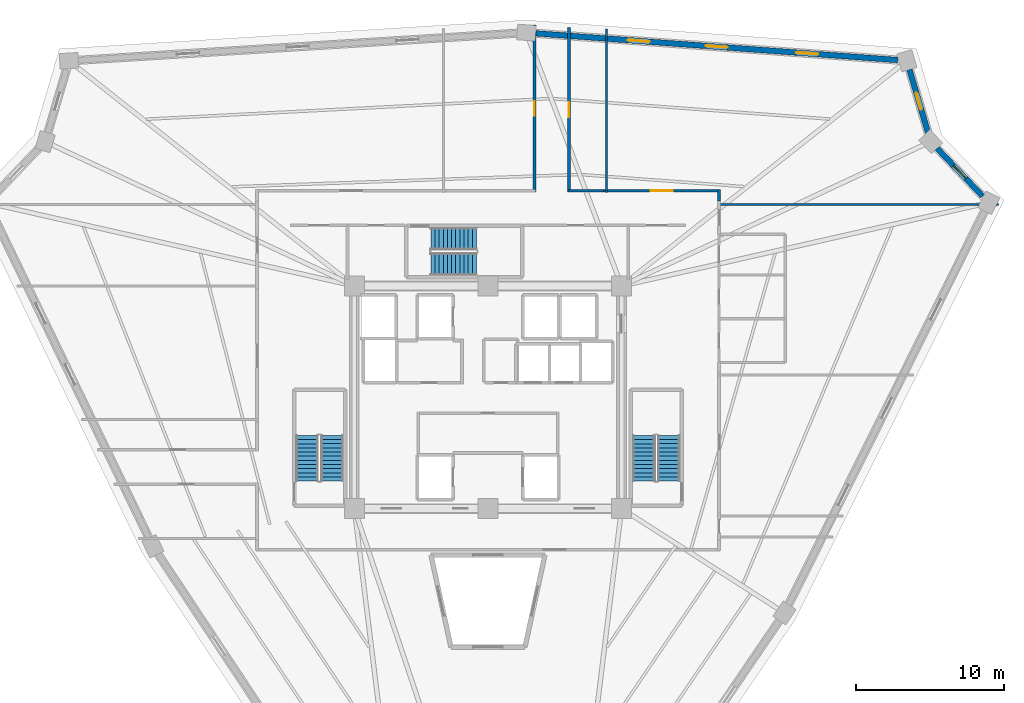
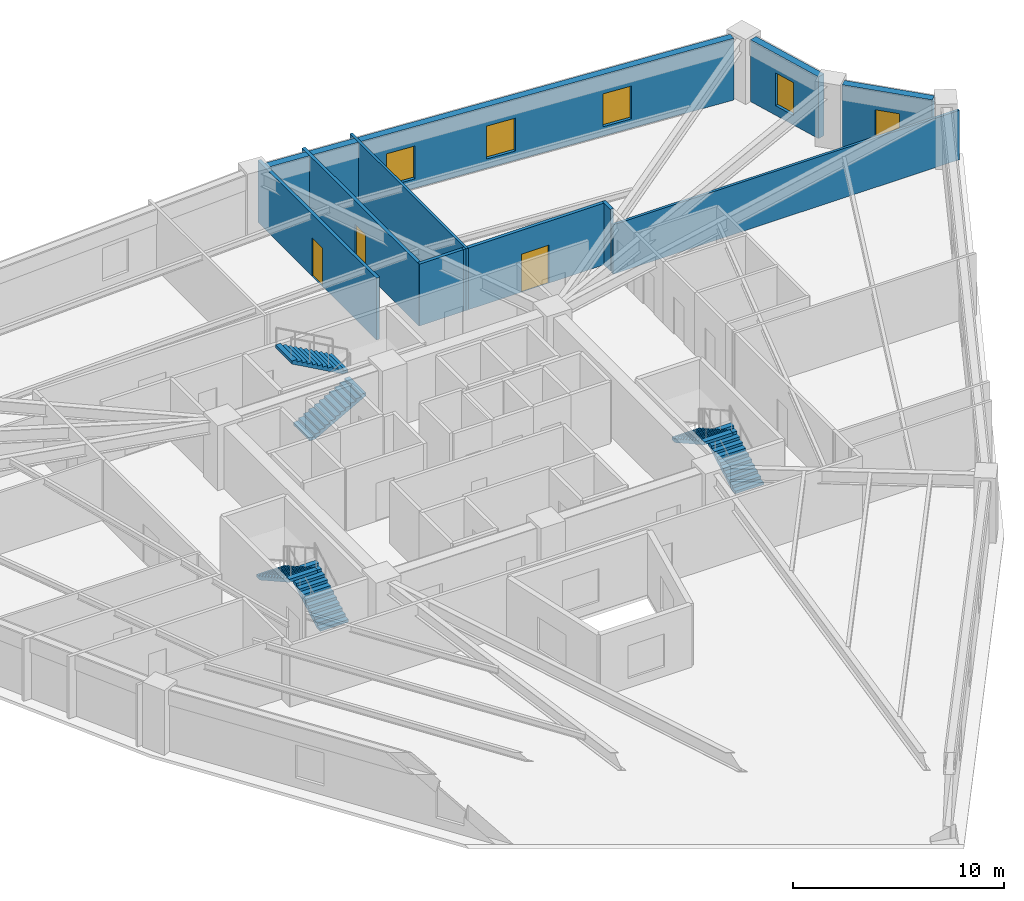
# One storey, part 7 of 8: 10 walls, 6 stair flights, 5 windows, 3 doors, 8 openings, 3 elements without a shape of their own.
"""IFC4 building model written with IfcOpenShell, lengths in metres."""

from ifc_helpers import new_model, si_unit, direction, frame, frame_2d, origin, place, context, subcontext, project, spatial, polyline, rectangle, outline, extrude, source, transform, mapped, material, layer, layer_set, type_object, element, fill, aggregate, save


model = new_model("IFC4")

# Units and contexts
model_context = context("Model", 3, precision=1e-05, world=origin(), true_north=direction((0.0, 1.0)))
body_context = subcontext(model_context, "Body", "Model", "MODEL_VIEW")
ifc_project = project(units=[si_unit("LENGTHUNIT", "METRE"), si_unit("AREAUNIT", "SQUARE_METRE"), si_unit("VOLUMEUNIT", "CUBIC_METRE"), si_unit("PLANEANGLEUNIT", "RADIAN"), si_unit("MASSUNIT", "GRAM", prefix="KILO")], contexts=[model_context])

# Site, building, storey
site_placement = place(None, origin())
site = spatial("IfcSite", under=ifc_project, at=site_placement, CompositionType="ELEMENT")
building_placement = place(site_placement, origin())
building = spatial("IfcBuilding", under=site, at=building_placement, Name="Liaohun Quay Tower", CompositionType="ELEMENT")
storey_placement = place(building_placement, frame((0.0, 0.0, 201.75)))
storey = spatial("IfcBuildingStorey", under=building, at=storey_placement, Name="L52", CompositionType="ELEMENT", Elevation=201.75)

# Wall, opening, window
ifc_material_1 = material(Name="Precast concrete C50 insulated sandwich", Category="concrete")
ifc_layer_1 = layer(ifc_material_1, 0.3798828125, Name="Precast concrete C50 insulated sandwich", Category="concrete")
ifc_layer_set_1 = layer_set([ifc_layer_1], Name="Precast concrete C50 insulated sandwich")
wall_type_1 = type_object("IfcWallType", Name="WAL-EXT-Z34", PredefinedType="SOLIDWALL", material=ifc_layer_set_1)
wall_1_placement = place(storey_placement, frame((93.31201171875, 67.553955078125, 0.0), z_axis=(0.0, 0.0, 1.0), x_axis=(-0.689339649611, 0.724438297906, 0.0)))
wall_1 = element("IfcWall", 1, at=wall_1_placement, inside=storey, type_object=wall_type_1, Name="L52 Brutalist Precast Pier Wall 04", PredefinedType="SOLIDWALL", context=body_context, shape_type="SweptSolid", body=[
    extrude(rectangle(XDim=4.44482421875, YDim=0.3798828125, at=frame_2d((2.222412109375, 0.0))), origin(), (0.0, 0.0, 1.0), 3.570068359375),
])
shared_shape_1 = source(origin(), body_context, "Body", "SweptSolid", [
    extrude(rectangle(XDim=1.199951171875, YDim=1.89990234375, at=frame_2d((0.60009765625, 0.949951171875))), frame((0.0, 0.199951171875, 0.0), z_axis=(0.0, -1.0, 0.0), x_axis=(1.0, 0.0, 0.0)), (0.0, 0.0, 1.0), 0.39990234375),
])
opening_1_placement = place(wall_1_placement, frame((1.6220703125, 0.0, 0.550048828125)))
opening_1 = element("IfcOpeningElement", 2, at=opening_1_placement, cuts=wall_1, Name="Opening W05", PredefinedType="OPENING", context=body_context, shape_type="MappedRepresentation", body=[
    mapped(shared_shape_1, transform((0.0, 0.0, 0.0), x_axis=(1.0, 0.0, 0.0), y_axis=(0.0, 1.0, 0.0), z_axis=(0.0, 0.0, 1.0), scale=1.0)),
])
ifc_material_2 = material(Name="Triple Low-E corner notch glazing", Category="glass")
window_type_1 = type_object("IfcWindowType", Name="WIN-NOTCH", PartitioningType="SINGLE_PANEL", PredefinedType="WINDOW", material=ifc_material_2)
shared_shape_2 = source(origin(), body_context, "Body", "SweptSolid", [
    extrude(rectangle(XDim=1.199951171875, YDim=1.89990234375, at=frame_2d((0.60009765625, 0.949951171875))), frame((0.0, 0.030029296875, 0.0), z_axis=(0.0, -1.0, 0.0), x_axis=(1.0, 0.0, 0.0)), (0.0, 0.0, 1.0), 0.06005859375),
])
window_1_placement = place(opening_1_placement, origin())
window_1 = element("IfcWindow", 3, at=window_1_placement, inside=storey, type_object=window_type_1, Name="L52 Corner Notch Window W05-04", OverallHeight=1.89990234375, OverallWidth=1.199951171875, PartitioningType="SINGLE_PANEL", PredefinedType="WINDOW", context=body_context, shape_type="MappedRepresentation", body=[
    mapped(shared_shape_2, transform((0.0, 0.0, 0.0), x_axis=(1.0, 0.0, 0.0), y_axis=(0.0, 1.0, 0.0), z_axis=(0.0, 0.0, 1.0), scale=1.0)),
])
fill(opening_1, window_1)

wall_2_placement = place(storey_placement, frame((89.64990234375, 71.80908203125, 0.0), z_axis=(0.0, 0.0, 1.0), x_axis=(-0.282504740452, 0.95926590246, 0.0)))
wall_2 = element("IfcWall", 4, at=wall_2_placement, inside=storey, type_object=wall_type_1, Name="L52 Brutalist Precast Pier Wall 05", PredefinedType="SOLIDWALL", context=body_context, shape_type="SweptSolid", body=[
    extrude(rectangle(XDim=4.452392578125, YDim=0.3798828125, at=frame_2d((2.22607421875, 0.0))), origin(), (0.0, 0.0, 1.0), 3.570068359375),
])
opening_2_placement = place(wall_2_placement, frame((1.6259765625, 0.0, 0.550048828125)))
opening_2 = element("IfcOpeningElement", 5, at=opening_2_placement, cuts=wall_2, Name="Opening W05", PredefinedType="OPENING", context=body_context, shape_type="MappedRepresentation", body=[
    mapped(shared_shape_1, transform((0.0, 0.0, 0.0), x_axis=(1.0, 0.0, 0.0), y_axis=(0.0, 1.0, 0.0), z_axis=(0.0, 0.0, 1.0), scale=1.0)),
])
window_2_placement = place(opening_2_placement, origin())
window_2 = element("IfcWindow", 6, at=window_2_placement, inside=storey, type_object=window_type_1, Name="L52 Corner Notch Window W05-05", OverallHeight=1.89990234375, OverallWidth=1.199951171875, PartitioningType="SINGLE_PANEL", PredefinedType="WINDOW", context=body_context, shape_type="MappedRepresentation", body=[
    mapped(shared_shape_2, transform((0.0, 0.0, 0.0), x_axis=(1.0, 0.0, 0.0), y_axis=(0.0, 1.0, 0.0), z_axis=(0.0, 0.0, 1.0), scale=1.0)),
])
fill(opening_2, window_2)

# Wall, openings, windows
wall_3_placement = place(storey_placement, frame((87.60498046875, 76.715087890625, 0.0), z_axis=(0.0, 0.0, 1.0), x_axis=(-0.997283768188, 0.073655181142, 0.0)))
wall_3 = element("IfcWall", 7, at=wall_3_placement, inside=storey, type_object=wall_type_1, Name="L52 Brutalist Precast Pier Wall 06", PredefinedType="SOLIDWALL", context=body_context, shape_type="SweptSolid", body=[
    extrude(rectangle(XDim=24.46533203125, YDim=0.3798828125, at=frame_2d((12.232666015625, 0.0))), origin(), (0.0, 0.0, 1.0), 3.570068359375),
])
shared_shape_3 = source(origin(), body_context, "Body", "SweptSolid", [
    extrude(rectangle(XDim=1.5, YDim=1.89990234375, at=frame_2d((0.75, 0.949951171875))), frame((0.0, 0.199951171875, 0.0), z_axis=(0.0, -1.0, 0.0), x_axis=(1.0, 0.0, 0.0)), (0.0, 0.0, 1.0), 0.39990234375),
])
opening_3_placement = place(wall_3_placement, frame((5.365966796875, 0.0, 0.550048828125)))
opening_3 = element("IfcOpeningElement", 8, at=opening_3_placement, cuts=wall_3, Name="Opening W03", PredefinedType="OPENING", context=body_context, shape_type="MappedRepresentation", body=[
    mapped(shared_shape_3, transform((0.0, 0.0, 0.0), x_axis=(1.0, 0.0, 0.0), y_axis=(0.0, 1.0, 0.0), z_axis=(0.0, 0.0, 1.0), scale=1.0)),
])
opening_4_placement = place(wall_3_placement, frame((11.48291015625, 0.0, 0.550048828125)))
opening_4 = element("IfcOpeningElement", 9, at=opening_4_placement, cuts=wall_3, Name="Opening W03", PredefinedType="OPENING", context=body_context, shape_type="MappedRepresentation", body=[
    mapped(shared_shape_3, transform((0.0, 0.0, 0.0), x_axis=(1.0, 0.0, 0.0), y_axis=(0.0, 1.0, 0.0), z_axis=(0.0, 0.0, 1.0), scale=1.0)),
])
opening_5_placement = place(wall_3_placement, frame((16.7490234375, 0.0, 0.550048828125)))
opening_5 = element("IfcOpeningElement", 10, at=opening_5_placement, cuts=wall_3, Name="Opening W03", PredefinedType="OPENING", context=body_context, shape_type="MappedRepresentation", body=[
    mapped(shared_shape_3, transform((0.0, 0.0, 0.0), x_axis=(1.0, 0.0, 0.0), y_axis=(0.0, 1.0, 0.0), z_axis=(0.0, 0.0, 1.0), scale=1.0)),
])
ifc_material_3 = material(Name="Triple Low-E argon glazing in thermally broken aluminium", Category="aluminium")
window_type_2 = type_object("IfcWindowType", Name="WIN-PUN-Z3", PartitioningType="DOUBLE_PANEL_VERTICAL", PredefinedType="WINDOW", material=ifc_material_3)
shared_shape_4 = source(origin(), body_context, "Body", "SweptSolid", [
    extrude(rectangle(XDim=1.5, YDim=1.89990234375, at=frame_2d((0.75, 0.949951171875))), frame((0.0, 0.030029296875, 0.0), z_axis=(0.0, -1.0, 0.0), x_axis=(1.0, 0.0, 0.0)), (0.0, 0.0, 1.0), 0.06005859375),
])
window_3_placement = place(opening_3_placement, origin())
window_3 = element("IfcWindow", 11, at=window_3_placement, inside=storey, type_object=window_type_2, Name="L52 Recessed Cold-Climate Punched Window 06-1", OverallHeight=1.89990234375, OverallWidth=1.5, PartitioningType="DOUBLE_PANEL_VERTICAL", PredefinedType="WINDOW", context=body_context, shape_type="MappedRepresentation", body=[
    mapped(shared_shape_4, transform((0.0, 0.0, 0.0), x_axis=(1.0, 0.0, 0.0), y_axis=(0.0, 1.0, 0.0), z_axis=(0.0, 0.0, 1.0), scale=1.0)),
])
fill(opening_3, window_3)
window_4_placement = place(opening_4_placement, origin())
window_4 = element("IfcWindow", 12, at=window_4_placement, inside=storey, type_object=window_type_2, Name="L52 Recessed Cold-Climate Punched Window 06-2", OverallHeight=1.89990234375, OverallWidth=1.5, PartitioningType="DOUBLE_PANEL_VERTICAL", PredefinedType="WINDOW", context=body_context, shape_type="MappedRepresentation", body=[
    mapped(shared_shape_4, transform((0.0, 0.0, 0.0), x_axis=(1.0, 0.0, 0.0), y_axis=(0.0, 1.0, 0.0), z_axis=(0.0, 0.0, 1.0), scale=1.0)),
])
fill(opening_4, window_4)
window_5_placement = place(opening_5_placement, origin())
window_5 = element("IfcWindow", 13, at=window_5_placement, inside=storey, type_object=window_type_2, Name="L52 Recessed Cold-Climate Punched Window 06-3", OverallHeight=1.89990234375, OverallWidth=1.5, PartitioningType="DOUBLE_PANEL_VERTICAL", PredefinedType="WINDOW", context=body_context, shape_type="MappedRepresentation", body=[
    mapped(shared_shape_4, transform((0.0, 0.0, 0.0), x_axis=(1.0, 0.0, 0.0), y_axis=(0.0, 1.0, 0.0), z_axis=(0.0, 0.0, 1.0), scale=1.0)),
])
fill(opening_5, window_5)

# Wall, opening, door
ifc_material_4 = material(Name="Autoclaved aerated concrete blockwork", Category="masonry")
ifc_layer_2 = layer(ifc_material_4, 0.179931640625, Name="Autoclaved aerated concrete blockwork", Category="masonry")
ifc_layer_set_2 = layer_set([ifc_layer_2], Name="Autoclaved aerated concrete blockwork")
wall_type_2 = type_object("IfcWallType", Name="WAL-PRT-COR", PredefinedType="PARTITIONING", material=ifc_layer_set_2)
wall_4_placement = place(storey_placement, frame((67.784912109375, 67.909912109375, 0.0), z_axis=(0.0, 0.0, 1.0), x_axis=(1.0, 0.0, 0.0)))
wall_4 = element("IfcWall", 14, at=wall_4_placement, inside=storey, type_object=wall_type_2, Name="L52 Interior Partition Wall 012", PredefinedType="PARTITIONING", context=body_context, shape_type="SweptSolid", body=[
    extrude(rectangle(XDim=7.844970703125, YDim=0.179931640625, at=frame_2d((3.92236328125, 0.0))), origin(), (0.0, 0.0, 1.0), 3.570068359375),
])
shared_shape_5 = source(origin(), body_context, "Body", "SweptSolid", [
    extrude(rectangle(XDim=1.5, YDim=2.199951171875, at=frame_2d((0.75, 1.10009765625))), frame((0.0, 0.099853515625, 0.0), z_axis=(0.0, -1.0, 0.0), x_axis=(1.0, 0.0, 0.0)), (0.0, 0.0, 1.0), 0.199951171875),
])
opening_6_placement = place(wall_4_placement, frame((3.172119140625, 0.0, 0.0)))
opening_6 = element("IfcOpeningElement", 15, at=opening_6_placement, cuts=wall_4, Name="Opening OD2", PredefinedType="OPENING", context=body_context, shape_type="MappedRepresentation", body=[
    mapped(shared_shape_5, transform((0.0, 0.0, 0.0), x_axis=(1.0, 0.0, 0.0), y_axis=(0.0, 1.0, 0.0), z_axis=(0.0, 0.0, 1.0), scale=1.0)),
])
ifc_material_5 = material(Name="Acoustic oak veneer double door")
door_type_1 = type_object("IfcDoorType", Name="DOR-OFF-1500", OperationType="DOUBLE_DOOR_SINGLE_SWING", PredefinedType="DOOR", material=ifc_material_5)
shared_shape_6 = source(origin(), body_context, "Body", "SweptSolid", [
    extrude(rectangle(XDim=1.5, YDim=2.199951171875, at=frame_2d((0.75, 1.10009765625))), frame((0.0, 0.02490234375, 0.0), z_axis=(0.0, -1.0, 0.0), x_axis=(1.0, 0.0, 0.0)), (0.0, 0.0, 1.0), 0.050048828125),
])
door_1_placement = place(opening_6_placement, origin())
door_1 = element("IfcDoor", 16, at=door_1_placement, inside=storey, type_object=door_type_1, Name="L52 Occupational Wellness Clinic 02 Door", OperationType="DOUBLE_DOOR_SINGLE_SWING", OverallHeight=2.199951171875, OverallWidth=1.5, PredefinedType="DOOR", context=body_context, shape_type="MappedRepresentation", body=[
    mapped(shared_shape_6, transform((0.0, 0.0, 0.0), x_axis=(1.0, 0.0, 0.0), y_axis=(0.0, 1.0, 0.0), z_axis=(0.0, 0.0, 1.0), scale=1.0)),
])
fill(opening_6, door_1)

wall_5_placement = place(storey_placement, frame((65.4599609375, 78.89208984375, 0.0), z_axis=(0.0, 0.0, 1.0), x_axis=(0.0, -1.0, 0.0)))
wall_5 = element("IfcWall", 17, at=wall_5_placement, inside=storey, type_object=wall_type_2, Name="L52 Interior Partition Wall 013", PredefinedType="PARTITIONING", context=body_context, shape_type="SweptSolid", body=[
    extrude(rectangle(XDim=11.052001953125, YDim=0.179931640625, at=frame_2d((5.52587890625, 0.0))), origin(), (0.0, 0.0, 1.0), 3.570068359375),
])
shared_shape_7 = source(origin(), body_context, "Body", "SweptSolid", [
    extrude(rectangle(XDim=1.0, YDim=2.199951171875, at=frame_2d((0.5, 1.10009765625))), frame((0.0, 0.099853515625, 0.0), z_axis=(0.0, -1.0, 0.0), x_axis=(1.0, 0.0, 0.0)), (0.0, 0.0, 1.0), 0.199951171875),
])
opening_7_placement = place(wall_5_placement, frame((5.02587890625, 0.0, 0.0)))
opening_7 = element("IfcOpeningElement", 18, at=opening_7_placement, cuts=wall_5, Name="Opening OD1", PredefinedType="OPENING", context=body_context, shape_type="MappedRepresentation", body=[
    mapped(shared_shape_7, transform((0.0, 0.0, 0.0), x_axis=(1.0, 0.0, 0.0), y_axis=(0.0, 1.0, 0.0), z_axis=(0.0, 0.0, 1.0), scale=1.0)),
])
ifc_material_6 = material(Name="Solid-core oak veneer timber leaf in steel frame", Category="steel")
door_type_2 = type_object("IfcDoorType", Name="DOR-OFF-1000", OperationType="NOTDEFINED", PredefinedType="DOOR", material=ifc_material_6)
shared_shape_8 = source(origin(), body_context, "Body", "SweptSolid", [
    extrude(rectangle(XDim=1.0, YDim=2.199951171875, at=frame_2d((0.5, 1.10009765625))), frame((0.0, 0.02490234375, 0.0), z_axis=(0.0, -1.0, 0.0), x_axis=(1.0, 0.0, 0.0)), (0.0, 0.0, 1.0), 0.050048828125),
])
door_2_placement = place(opening_7_placement, origin())
door_2 = element("IfcDoor", 19, at=door_2_placement, inside=storey, type_object=door_type_2, Name="L52 Staff Daycare Nursery 03 Door", OperationType="SINGLE_SWING_RIGHT", OverallHeight=2.199951171875, OverallWidth=1.0, PredefinedType="DOOR", context=body_context, shape_type="MappedRepresentation", body=[
    mapped(shared_shape_8, transform((0.0, 0.0, 0.0), x_axis=(1.0, 0.0, 0.0), y_axis=(0.0, 1.0, 0.0), z_axis=(0.0, 0.0, 1.0), scale=1.0)),
])
fill(opening_7, door_2)

wall_6_placement = place(storey_placement, frame((63.139892578125, 67.840087890625, 0.0), z_axis=(0.0, 0.0, 1.0), x_axis=(0.0, 1.0, 0.0)))
wall_6 = element("IfcWall", 20, at=wall_6_placement, inside=storey, type_object=wall_type_2, Name="L52 Interior Partition Wall 014", PredefinedType="PARTITIONING", context=body_context, shape_type="SweptSolid", body=[
    extrude(rectangle(XDim=11.222900390625, YDim=0.179931640625, at=frame_2d((5.611328125, 0.0))), origin(), (0.0, 0.0, 1.0), 3.570068359375),
])
opening_8_placement = place(wall_6_placement, frame((5.111083984375, 0.0, 0.0)))
opening_8 = element("IfcOpeningElement", 21, at=opening_8_placement, cuts=wall_6, Name="Opening OD1", PredefinedType="OPENING", context=body_context, shape_type="MappedRepresentation", body=[
    mapped(shared_shape_7, transform((0.0, 0.0, 0.0), x_axis=(1.0, 0.0, 0.0), y_axis=(0.0, 1.0, 0.0), z_axis=(0.0, 0.0, 1.0), scale=1.0)),
])
door_3_placement = place(opening_8_placement, origin())
door_3 = element("IfcDoor", 22, at=door_3_placement, inside=storey, type_object=door_type_2, Name="L52 Project Collaboration Studio 04 Door", OperationType="SINGLE_SWING_LEFT", OverallHeight=2.199951171875, OverallWidth=1.0, PredefinedType="DOOR", context=body_context, shape_type="MappedRepresentation", body=[
    mapped(shared_shape_8, transform((0.0, 0.0, 0.0), x_axis=(1.0, 0.0, 0.0), y_axis=(0.0, 1.0, 0.0), z_axis=(0.0, 0.0, 1.0), scale=1.0)),
])
fill(opening_8, door_3)

# Walls
wall_7_placement = place(storey_placement, frame((75.56005859375, 67.97998046875, 0.0), z_axis=(0.0, 0.0, 1.0), x_axis=(0.0, -1.0, 0.0)))
element("IfcWall", 23, at=wall_7_placement, inside=storey, type_object=wall_type_2, Name="L52 Interior Partition Wall 034", PredefinedType="PARTITIONING", context=body_context, shape_type="SweptSolid", body=[
    extrude(rectangle(XDim=0.764892578125, YDim=0.179931640625, at=frame_2d((0.38232421875, 0.0))), origin(), (0.0, 0.0, 1.0), 3.570068359375),
])
wall_8_placement = place(storey_placement, frame((65.389892578125, 67.909912109375, 0.0), z_axis=(0.0, 0.0, 1.0), x_axis=(1.0, 0.0, 0.0)))
element("IfcWall", 24, at=wall_8_placement, inside=storey, type_object=wall_type_2, Name="L52 Interior Partition Wall 035", PredefinedType="PARTITIONING", context=body_context, shape_type="SweptSolid", body=[
    extrude(rectangle(XDim=2.39501953125, YDim=0.179931640625, at=frame_2d((1.197509765625, 0.0))), origin(), (0.0, 0.0, 1.0), 3.570068359375),
])
ifc_material_7 = material(Name="Gypsum board on twin steel studs", Category="steel")
ifc_layer_3 = layer(ifc_material_7, 0.139892578125, Name="Gypsum board on twin steel studs", Category="steel")
ifc_layer_set_3 = layer_set([ifc_layer_3], Name="Gypsum board on twin steel studs")
wall_type_3 = type_object("IfcWallType", Name="WAL-PRT-OFF", PredefinedType="PARTITIONING", material=ifc_layer_set_3)
wall_9_placement = place(storey_placement, frame((75.4599609375, 67.0, 0.0), z_axis=(0.0, 0.0, 1.0), x_axis=(1.0, 0.0, 0.0)))
element("IfcWall", 25, at=wall_9_placement, inside=storey, type_object=wall_type_3, Name="L52 Interior Partition Wall 049", PredefinedType="PARTITIONING", context=body_context, shape_type="SweptSolid", body=[
    extrude(rectangle(XDim=18.925048828125, YDim=0.139892578125, at=frame_2d((9.46240234375, 0.0))), origin(), (0.0, 0.0, 1.0), 2.85498046875),
])
wall_10_placement = place(storey_placement, frame((68.0, 67.81005859375, 0.0), z_axis=(0.0, 0.0, 1.0), x_axis=(0.0, 1.0, 0.0)))
element("IfcWall", 26, at=wall_10_placement, inside=storey, type_object=wall_type_3, Name="L52 Interior Partition Wall 051", PredefinedType="PARTITIONING", context=body_context, shape_type="SweptSolid", body=[
    extrude(rectangle(XDim=10.98388671875, YDim=0.139892578125, at=frame_2d((5.491943359375, 0.0))), origin(), (0.0, 0.0, 1.0), 3.570068359375),
])

# Stair, stair flights
ifc_material_8 = material(Name="Concrete C45", Category="concrete")
stair_type = type_object("IfcStairType", Name="STR-CORE-OFF", PredefinedType="HALF_TURN_STAIR", material=ifc_material_8)
stair_1_placement = place(storey_placement, origin())
stair_1 = element("IfcStair", 27, at=stair_1_placement, inside=storey, type_object=stair_type, Name="L52 Smokeproof Core Exit Stair ST-1", PredefinedType="HALF_TURN_STAIR")
stair_flight_type = type_object("IfcStairFlightType", Name="FLT-CORE-155", PredefinedType="STRAIGHT", material=ifc_material_8)
stair_flight_1_placement = place(storey_placement, frame((49.5048828125, 48.35009765625, 0.0), z_axis=(0.0, 0.0, 1.0), x_axis=(0.0, 1.0, 0.0)))
stair_flight_1 = element("IfcStairFlight", 28, at=stair_flight_1_placement, type_object=stair_flight_type, Name="ST-1 flight 1", NumberOfRisers=12, NumberOfTreads=11, PredefinedType="STRAIGHT", RiserHeight=0.15625, TreadLength=0.28, context=body_context, shape_type="SweptSolid", body=[
    extrude(outline(polyline([(0.0, 0.0), (0.0, 0.15625), (0.280029296875, 0.15625), (0.280029296875, 0.3125), (0.56005859375, 0.3125), (0.56005859375, 0.46875), (0.840087890625, 0.46875), (0.840087890625, 0.625), (1.1201171875, 0.625), (1.1201171875, 0.78125), (1.39990234375, 0.78125), (1.39990234375, 0.9375), (1.679931640625, 0.9375), (1.679931640625, 1.09375), (1.9599609375, 1.09375), (1.9599609375, 1.25), (2.239990234375, 1.25), (2.239990234375, 1.40625), (2.52001953125, 1.40625), (2.52001953125, 1.5625), (2.800048828125, 1.5625), (2.800048828125, 1.71875), (3.080078125, 1.71875), (3.080078125, 1.875), (3.080078125, 1.547119140625), (0.3076171875, 0.0), (0.0, 0.0)])), frame((0.0, 0.77490234375, 0.0), z_axis=(0.0, -1.0, 0.0), x_axis=(1.0, 0.0, 0.0)), (0.0, 0.0, 1.0), 1.550048828125),
])
stair_flight_2_placement = place(storey_placement, frame((47.81494140625, 51.429931640625, 1.875), z_axis=(0.0, 0.0, 1.0), x_axis=(0.0, -1.0, 0.0)))
stair_flight_2 = element("IfcStairFlight", 29, at=stair_flight_2_placement, type_object=stair_flight_type, Name="ST-1 flight 2", NumberOfRisers=12, NumberOfTreads=11, PredefinedType="STRAIGHT", RiserHeight=0.15625, TreadLength=0.28, context=body_context, shape_type="SweptSolid", body=[
    extrude(outline(polyline([(0.0, 0.0), (0.0, 0.15625), (0.280029296875, 0.15625), (0.280029296875, 0.3125), (0.56005859375, 0.3125), (0.56005859375, 0.46875), (0.840087890625, 0.46875), (0.840087890625, 0.625), (1.1201171875, 0.625), (1.1201171875, 0.78125), (1.39990234375, 0.78125), (1.39990234375, 0.9375), (1.679931640625, 0.9375), (1.679931640625, 1.09375), (1.9599609375, 1.09375), (1.9599609375, 1.25), (2.239990234375, 1.25), (2.239990234375, 1.40625), (2.52001953125, 1.40625), (2.52001953125, 1.5625), (2.800048828125, 1.5625), (2.800048828125, 1.71875), (3.080078125, 1.71875), (3.080078125, 1.875), (3.080078125, 1.547119140625), (0.3076171875, 0.0), (0.0, 0.0)])), frame((0.0, 0.77490234375, 0.0), z_axis=(0.0, -1.0, 0.0), x_axis=(1.0, 0.0, 0.0)), (0.0, 0.0, 1.0), 1.550048828125),
])
aggregate(stair_1, [stair_flight_1, stair_flight_2])

stair_2_placement = place(storey_placement, origin())
stair_2 = element("IfcStair", 30, at=stair_2_placement, inside=storey, type_object=stair_type, Name="L52 Smokeproof Core Exit Stair ST-2", PredefinedType="HALF_TURN_STAIR")
stair_flight_3_placement = place(storey_placement, frame((72.18505859375, 48.35009765625, 0.0), z_axis=(0.0, 0.0, 1.0), x_axis=(0.0, 1.0, 0.0)))
stair_flight_3 = element("IfcStairFlight", 31, at=stair_flight_3_placement, type_object=stair_flight_type, Name="ST-2 flight 1", NumberOfRisers=12, NumberOfTreads=11, PredefinedType="STRAIGHT", RiserHeight=0.15625, TreadLength=0.28, context=body_context, shape_type="SweptSolid", body=[
    extrude(outline(polyline([(0.0, 0.0), (0.0, 0.15625), (0.280029296875, 0.15625), (0.280029296875, 0.3125), (0.56005859375, 0.3125), (0.56005859375, 0.46875), (0.840087890625, 0.46875), (0.840087890625, 0.625), (1.1201171875, 0.625), (1.1201171875, 0.78125), (1.39990234375, 0.78125), (1.39990234375, 0.9375), (1.679931640625, 0.9375), (1.679931640625, 1.09375), (1.9599609375, 1.09375), (1.9599609375, 1.25), (2.239990234375, 1.25), (2.239990234375, 1.40625), (2.52001953125, 1.40625), (2.52001953125, 1.5625), (2.800048828125, 1.5625), (2.800048828125, 1.71875), (3.080078125, 1.71875), (3.080078125, 1.875), (3.080078125, 1.547119140625), (0.3076171875, 0.0), (0.0, 0.0)])), frame((0.0, 0.77490234375, 0.0), z_axis=(0.0, -1.0, 0.0), x_axis=(1.0, 0.0, 0.0)), (0.0, 0.0, 1.0), 1.550048828125),
])
stair_flight_4_placement = place(storey_placement, frame((70.4951171875, 51.429931640625, 1.875), z_axis=(0.0, 0.0, 1.0), x_axis=(0.0, -1.0, 0.0)))
stair_flight_4 = element("IfcStairFlight", 32, at=stair_flight_4_placement, type_object=stair_flight_type, Name="ST-2 flight 2", NumberOfRisers=12, NumberOfTreads=11, PredefinedType="STRAIGHT", RiserHeight=0.15625, TreadLength=0.28, context=body_context, shape_type="SweptSolid", body=[
    extrude(outline(polyline([(0.0, 0.0), (0.0, 0.15625), (0.280029296875, 0.15625), (0.280029296875, 0.3125), (0.56005859375, 0.3125), (0.56005859375, 0.46875), (0.840087890625, 0.46875), (0.840087890625, 0.625), (1.1201171875, 0.625), (1.1201171875, 0.78125), (1.39990234375, 0.78125), (1.39990234375, 0.9375), (1.679931640625, 0.9375), (1.679931640625, 1.09375), (1.9599609375, 1.09375), (1.9599609375, 1.25), (2.239990234375, 1.25), (2.239990234375, 1.40625), (2.52001953125, 1.40625), (2.52001953125, 1.5625), (2.800048828125, 1.5625), (2.800048828125, 1.71875), (3.080078125, 1.71875), (3.080078125, 1.875), (3.080078125, 1.547119140625), (0.3076171875, 0.0), (0.0, 0.0)])), frame((0.0, 0.77490234375, 0.0), z_axis=(0.0, -1.0, 0.0), x_axis=(1.0, 0.0, 0.0)), (0.0, 0.0, 1.0), 1.550048828125),
])
aggregate(stair_2, [stair_flight_3, stair_flight_4])

stair_3_placement = place(storey_placement, origin())
stair_3 = element("IfcStair", 33, at=stair_3_placement, inside=storey, type_object=stair_type, Name="L52 Smokeproof Core Exit Stair ST-3", PredefinedType="HALF_TURN_STAIR")
stair_flight_5_placement = place(storey_placement, frame((56.14990234375, 62.97509765625, 0.0), z_axis=(0.0, 0.0, 1.0), x_axis=(1.0, 0.0, 0.0)))
stair_flight_5 = element("IfcStairFlight", 34, at=stair_flight_5_placement, type_object=stair_flight_type, Name="ST-3 flight 1", NumberOfRisers=12, NumberOfTreads=11, PredefinedType="STRAIGHT", RiserHeight=0.15625, TreadLength=0.28, context=body_context, shape_type="SweptSolid", body=[
    extrude(outline(polyline([(0.0, 0.0), (0.0, 0.15625), (0.280029296875, 0.15625), (0.280029296875, 0.3125), (0.56005859375, 0.3125), (0.56005859375, 0.46875), (0.840087890625, 0.46875), (0.840087890625, 0.625), (1.1201171875, 0.625), (1.1201171875, 0.78125), (1.39990234375, 0.78125), (1.39990234375, 0.9375), (1.679931640625, 0.9375), (1.679931640625, 1.09375), (1.9599609375, 1.09375), (1.9599609375, 1.25), (2.239990234375, 1.25), (2.239990234375, 1.40625), (2.52001953125, 1.40625), (2.52001953125, 1.5625), (2.800048828125, 1.5625), (2.800048828125, 1.71875), (3.080078125, 1.71875), (3.080078125, 1.875), (3.080078125, 1.547119140625), (0.3076171875, 0.0), (0.0, 0.0)])), frame((0.0, 0.77490234375, 0.0), z_axis=(0.0, -1.0, 0.0), x_axis=(1.0, 0.0, 0.0)), (0.0, 0.0, 1.0), 1.550048828125),
])
stair_flight_6_placement = place(storey_placement, frame((59.22998046875, 64.6650390625, 1.875), z_axis=(0.0, 0.0, 1.0), x_axis=(-1.0, 0.0, 0.0)))
stair_flight_6 = element("IfcStairFlight", 35, at=stair_flight_6_placement, type_object=stair_flight_type, Name="ST-3 flight 2", NumberOfRisers=12, NumberOfTreads=11, PredefinedType="STRAIGHT", RiserHeight=0.15625, TreadLength=0.28, context=body_context, shape_type="SweptSolid", body=[
    extrude(outline(polyline([(0.0, 0.0), (0.0, 0.15625), (0.280029296875, 0.15625), (0.280029296875, 0.3125), (0.56005859375, 0.3125), (0.56005859375, 0.46875), (0.840087890625, 0.46875), (0.840087890625, 0.625), (1.1201171875, 0.625), (1.1201171875, 0.78125), (1.39990234375, 0.78125), (1.39990234375, 0.9375), (1.679931640625, 0.9375), (1.679931640625, 1.09375), (1.9599609375, 1.09375), (1.9599609375, 1.25), (2.239990234375, 1.25), (2.239990234375, 1.40625), (2.52001953125, 1.40625), (2.52001953125, 1.5625), (2.800048828125, 1.5625), (2.800048828125, 1.71875), (3.080078125, 1.71875), (3.080078125, 1.875), (3.080078125, 1.547119140625), (0.3076171875, 0.0), (0.0, 0.0)])), frame((0.0, 0.77490234375, 0.0), z_axis=(0.0, -1.0, 0.0), x_axis=(1.0, 0.0, 0.0)), (0.0, 0.0, 1.0), 1.550048828125),
])
aggregate(stair_3, [stair_flight_5, stair_flight_6])

save(model, "model.ifc")
